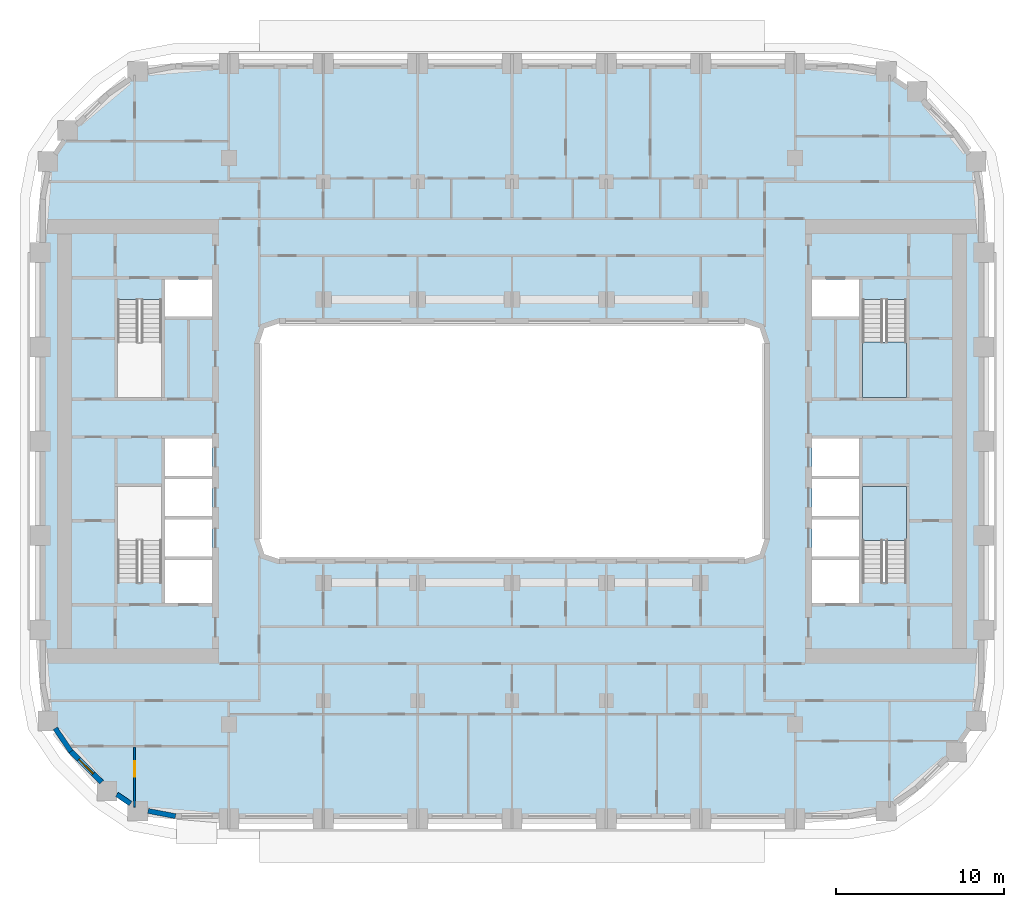
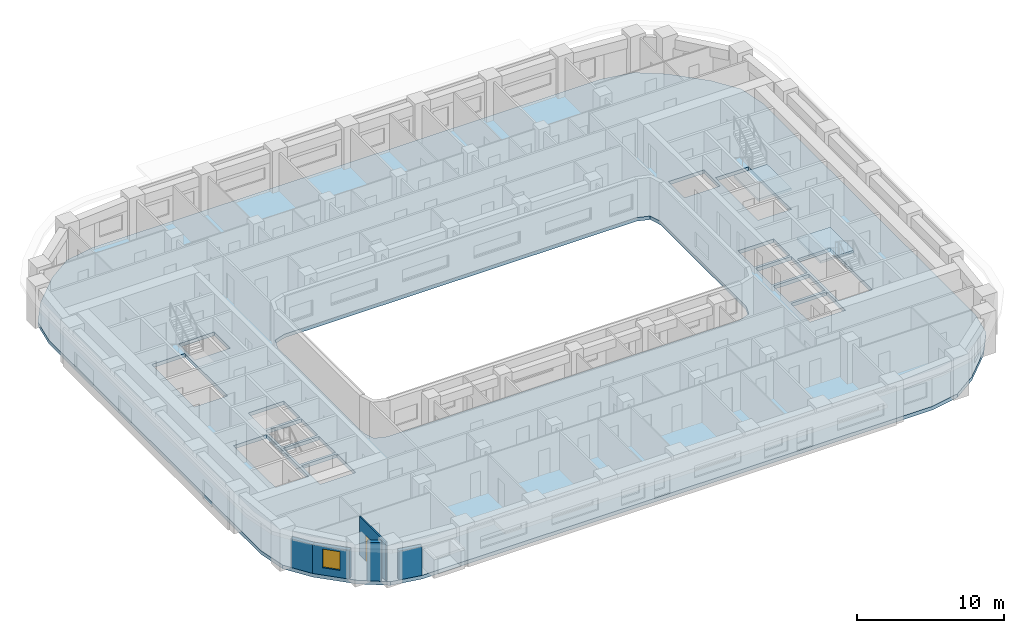
# One storey, part 2 of 23: 5 walls, 3 slabs, 1 door, 1 window, 2 openings, 2 elements without a shape of their own.
"""IFC4 building model written with IfcOpenShell, lengths in metres."""

from ifc_helpers import new_model, si_unit, direction, frame, frame_2d, origin, place, context, subcontext, project, spatial, polyline, rectangle, outline, extrude, material, layer, layer_set, type_object, element, fill, aggregate, save


model = new_model("IFC4")

# Units and contexts
model_context = context("Model", 3, precision=1e-05, world=origin(), true_north=direction((0.0, 1.0)))
body_context = subcontext(model_context, "Body", "Model", "MODEL_VIEW")
ifc_project = project(units=[si_unit("LENGTHUNIT", "METRE"), si_unit("AREAUNIT", "SQUARE_METRE"), si_unit("VOLUMEUNIT", "CUBIC_METRE"), si_unit("PLANEANGLEUNIT", "RADIAN"), si_unit("MASSUNIT", "GRAM", prefix="KILO")], contexts=[model_context])

# Site, building, storey
site_placement = place(None, origin())
site = spatial("IfcSite", under=ifc_project, at=site_placement, CompositionType="ELEMENT")
building_placement = place(site_placement, origin())
building = spatial("IfcBuilding", under=site, at=building_placement, Name="Kiln Ring Residences", CompositionType="ELEMENT")
storey_placement = place(building_placement, frame((0.0, 0.0, 118.300048828125)))
storey = spatial("IfcBuildingStorey", under=building, at=storey_placement, Name="L30", CompositionType="ELEMENT", Elevation=118.300048828125)

# Stair, slab
ifc_material_1 = material(Name="Concrete C40/50", Category="concrete")
stair_type = type_object("IfcStairType", Name="CORE-STAIR", PredefinedType="HALF_TURN_STAIR", material=ifc_material_1)
placement_1 = place(storey_placement, origin())
stair_1 = element("IfcStair", 1, at=placement_1, inside=storey, type_object=stair_type, Name="L30 stair E-STN", PredefinedType="HALF_TURN_STAIR")
ifc_material_2 = material(Name="Concrete C40/50", Category="concrete")
ifc_layer_1 = layer(ifc_material_2, 0.199951171875)
ifc_layer_set_1 = layer_set([ifc_layer_1], Name="CORE-STAIR-LANDING")
slab_type_1 = type_object("IfcSlabType", Name="CORE-STAIR-LANDING", PredefinedType="LANDING", material=ifc_layer_set_1)
placement_2 = place(storey_placement, frame((0.0, 0.0, 1.550048828125)))
slab_1 = element("IfcSlab", 2, at=placement_2, type_object=slab_type_1, Name="E-STN landing 1", PredefinedType="LANDING", context=body_context, shape_type="SweptSolid", body=[
    extrude(outline(polyline([(20.800048828125, 5.8798828125), (20.800048828125, 2.60009765625), (23.39990234375, 2.60009765625), (23.39990234375, 5.8798828125), (20.800048828125, 5.8798828125)])), origin(), (0.0, 0.0, 1.0), 0.199951171875),
])
aggregate(stair_1, [slab_1])

stair_2 = element("IfcStair", 3, at=placement_1, inside=storey, type_object=stair_type, Name="L30 stair E-STS", PredefinedType="HALF_TURN_STAIR")
slab_2 = element("IfcSlab", 4, at=placement_2, type_object=slab_type_1, Name="E-STS landing 1", PredefinedType="LANDING", context=body_context, shape_type="SweptSolid", body=[
    extrude(outline(polyline([(23.39990234375, -5.8798828125), (23.39990234375, -2.699951171875), (20.800048828125, -2.699951171875), (20.800048828125, -5.8798828125), (23.39990234375, -5.8798828125)])), origin(), (0.0, 0.0, 1.0), 0.199951171875),
])
aggregate(stair_2, [slab_2])

# Slab
ifc_material_3 = material(Name="Concrete C40/50", Category="concrete")
ifc_layer_2 = layer(ifc_material_3, 0.300048828125)
ifc_layer_set_2 = layer_set([ifc_layer_2], Name="Floor slab 300")
slab_type_2 = type_object("IfcSlabType", Name="Floor slab 300", PredefinedType="FLOOR", material=ifc_layer_set_2)
slab_3_placement = place(storey_placement, frame((0.0, 0.0, -0.300048828125)))
element("IfcSlab", 5, at=slab_3_placement, inside=storey, type_object=slab_type_2, Name="Floor slab L30 1", PredefinedType="FLOOR", context=body_context, shape_type="SweptSolid", body=[
    extrude(outline(polyline([(-26.302978515625, -18.4970703125), (-24.09716796875, -20.702880859375), (-22.224365234375, -21.975830078125), (-20.0, -22.39990234375), (20.0, -22.39990234375), (22.224365234375, -21.975830078125), (24.09716796875, -20.702880859375), (26.302978515625, -18.4970703125), (27.57568359375, -16.624267578125), (28.0, -14.39990234375), (28.0, 14.39990234375), (27.57568359375, 16.624267578125), (26.302978515625, 18.4970703125), (24.09716796875, 20.702880859375), (22.224365234375, 21.975830078125), (20.0, 22.39990234375), (-20.0, 22.39990234375), (-22.224365234375, 21.975830078125), (-24.09716796875, 20.702880859375), (-26.302978515625, 18.4970703125), (-27.57568359375, 16.624267578125), (-28.0, 14.39990234375), (-28.0, -14.39990234375), (-27.57568359375, -16.624267578125), (-26.302978515625, -18.4970703125)]), holes=[polyline([(-14.699951171875, -6.699951171875), (-15.0, -5.800048828125), (-15.0, 5.800048828125), (-14.699951171875, 6.699951171875), (-13.800048828125, 7.0), (13.800048828125, 7.0), (14.699951171875, 6.699951171875), (15.0, 5.800048828125), (15.0, -5.800048828125), (14.699951171875, -6.699951171875), (13.800048828125, -7.0), (-13.800048828125, -7.0), (-14.699951171875, -6.699951171875)]), polyline([(20.800048828125, -8.39794921875), (20.800048828125, -2.699951171875), (23.39990234375, -2.699951171875), (23.39990234375, -8.39794921875), (20.800048828125, -8.39794921875)]), polyline([(20.800048828125, 2.60009765625), (20.800048828125, 8.39794921875), (23.39990234375, 8.39794921875), (23.39990234375, 2.60009765625), (20.800048828125, 2.60009765625)]), polyline([(17.800048828125, -6.85009765625), (17.800048828125, -4.64990234375), (20.60009765625, -4.64990234375), (20.60009765625, -6.85009765625), (17.800048828125, -6.85009765625)]), polyline([(17.800048828125, -4.449951171875), (17.800048828125, -2.25), (20.60009765625, -2.25), (20.60009765625, -4.449951171875), (17.800048828125, -4.449951171875)]), polyline([(17.800048828125, -2.050048828125), (17.800048828125, 0.14990234375), (20.60009765625, 0.14990234375), (20.60009765625, -2.050048828125), (17.800048828125, -2.050048828125)]), polyline([(17.800048828125, 7.39990234375), (17.800048828125, 9.60009765625), (20.60009765625, 9.60009765625), (20.60009765625, 7.39990234375), (17.800048828125, 7.39990234375)]), polyline([(20.60009765625, -9.60009765625), (17.800048828125, -9.60009765625), (17.800048828125, -7.050048828125), (20.60009765625, -7.050048828125), (20.60009765625, -9.60009765625)]), polyline([(-17.800048828125, -7.050048828125), (-17.800048828125, -9.60009765625), (-20.60009765625, -9.60009765625), (-20.60009765625, -7.050048828125), (-17.800048828125, -7.050048828125)]), polyline([(-17.800048828125, -6.85009765625), (-20.60009765625, -6.85009765625), (-20.60009765625, -4.64990234375), (-17.800048828125, -4.64990234375), (-17.800048828125, -6.85009765625)]), polyline([(-17.800048828125, -4.449951171875), (-20.60009765625, -4.449951171875), (-20.60009765625, -2.25), (-17.800048828125, -2.25), (-17.800048828125, -4.449951171875)]), polyline([(-17.800048828125, -2.050048828125), (-20.60009765625, -2.050048828125), (-20.60009765625, 0.14990234375), (-17.800048828125, 0.14990234375), (-17.800048828125, -2.050048828125)]), polyline([(-17.800048828125, 7.39990234375), (-20.60009765625, 7.39990234375), (-20.60009765625, 9.60009765625), (-17.800048828125, 9.60009765625), (-17.800048828125, 7.39990234375)]), polyline([(-20.800048828125, -8.39794921875), (-23.39990234375, -8.39794921875), (-23.39990234375, -2.699951171875), (-20.800048828125, -2.699951171875), (-20.800048828125, -8.39794921875)]), polyline([(-20.800048828125, 2.60009765625), (-23.39990234375, 2.60009765625), (-23.39990234375, 8.39794921875), (-20.800048828125, 8.39794921875), (-20.800048828125, 2.60009765625)])]), origin(), (0.0, 0.0, 1.0), 0.300048828125),
])

# Wall, opening, window
ifc_material_4 = material(Name="Brick masonry, dark clay brick", Category="masonry")
ifc_layer_3 = layer(ifc_material_4, 0.300048828125)
ifc_layer_set_3 = layer_set([ifc_layer_3], Name="EW-300 BRICK WALL")
wall_type_1 = type_object("IfcWallType", Name="EW-300 BRICK WALL", PredefinedType="SOLIDWALL", material=ifc_layer_set_3)
wall_1_placement = place(storey_placement, frame((-26.19677734375, -18.390869140625, 0.0), z_axis=(0.0, 0.0, 1.0), x_axis=(0.707059830104, -0.707153729152, 0.0)))
wall_1 = element("IfcWall", 6, at=wall_1_placement, inside=storey, type_object=wall_type_1, Name="Facade wall L30 1", PredefinedType="SOLIDWALL", context=body_context, shape_type="SweptSolid", body=[
    extrude(rectangle(XDim=2.60009765625, YDim=0.300048828125, at=frame_2d((1.300048828125, 0.0))), origin(), (0.0, 0.0, 1.0), 2.39990234375),
])
opening_1_placement = place(wall_1_placement, frame((0.699951171875, 0.0, 0.60009765625)))
opening_1 = element("IfcOpeningElement", 7, at=opening_1_placement, cuts=wall_1, Name="Opening W1", PredefinedType="OPENING", context=body_context, shape_type="SweptSolid", body=[
    extrude(rectangle(XDim=1.199951171875, YDim=1.550048828125, at=frame_2d((0.60009765625, 0.77490234375))), frame((0.0, 0.159912109375, 0.0), z_axis=(0.0, -1.0, 0.0), x_axis=(1.0, 0.0, 0.0)), (0.0, 0.0, 1.0), 0.320068359375),
])
ifc_material_5 = material(Name="Aluminium frame with double glazing", Category="aluminium")
window_type = type_object("IfcWindowType", Name="WINDOW 1200 x 1550", PartitioningType="SINGLE_PANEL", PredefinedType="WINDOW", material=ifc_material_5)
window_placement = place(opening_1_placement, origin())
window = element("IfcWindow", 8, at=window_placement, inside=storey, type_object=window_type, Name="Window L30 1", OverallHeight=1.550048828125, OverallWidth=1.199951171875, PartitioningType="SINGLE_PANEL", PredefinedType="WINDOW", context=body_context, shape_type="SweptSolid", body=[
    extrude(rectangle(XDim=1.199951171875, YDim=1.550048828125, at=frame_2d((0.60009765625, 0.77490234375))), frame((0.0, 0.030029296875, 0.0), z_axis=(0.0, -1.0, 0.0), x_axis=(1.0, 0.0, 0.0)), (0.0, 0.0, 1.0), 0.06005859375),
])
fill(opening_1, window)

# Walls
wall_2_placement = place(storey_placement, frame((-23.451171875, -20.96044921875, 0.0), z_axis=(0.0, 0.0, 1.0), x_axis=(0.827019434577, -0.562173331661, 0.0)))
element("IfcWall", 9, at=wall_2_placement, inside=storey, type_object=wall_type_1, Name="Facade wall L30 2", PredefinedType="SOLIDWALL", context=body_context, shape_type="SweptSolid", body=[
    extrude(rectangle(XDim=0.97705078125, YDim=0.300048828125, at=frame_2d((0.488525390625, 0.0))), origin(), (0.0, 0.0, 1.0), 3.199951171875),
])
wall_3_placement = place(storey_placement, frame((-21.5986328125, -21.9423828125, 0.0), z_axis=(0.0, 0.0, 1.0), x_axis=(0.98228820662, -0.187376303559, 0.0)))
element("IfcWall", 10, at=wall_3_placement, inside=storey, type_object=wall_type_1, Name="Facade wall L30 3", PredefinedType="SOLIDWALL", context=body_context, shape_type="SweptSolid", body=[
    extrude(rectangle(XDim=1.656005859375, YDim=0.300048828125, at=frame_2d((0.828125, 0.0))), origin(), (0.0, 0.0, 1.0), 2.39990234375),
])
wall_4_placement = place(storey_placement, frame((-27.10986328125, -17.04296875, 0.0), z_axis=(0.0, 0.0, 1.0), x_axis=(0.562060017944, -0.82709644917, 0.0)))
element("IfcWall", 11, at=wall_4_placement, inside=storey, type_object=wall_type_1, Name="Facade wall L30 48", PredefinedType="SOLIDWALL", context=body_context, shape_type="SweptSolid", body=[
    extrude(rectangle(XDim=1.65625, YDim=0.300048828125, at=frame_2d((0.828125, 0.0))), origin(), (0.0, 0.0, 1.0), 2.39990234375),
])

# Wall, opening, door
ifc_material_6 = material(Name="Gypsum board on steel studs", Category="steel")
ifc_layer_4 = layer(ifc_material_6, 0.10009765625)
ifc_layer_set_4 = layer_set([ifc_layer_4], Name="PARTITION-100")
wall_type_2 = type_object("IfcWallType", Name="PARTITION-100", PredefinedType="PARTITIONING", material=ifc_layer_set_4)
wall_5_placement = place(storey_placement, frame((-22.39990234375, -21.719970703125, 0.0), z_axis=(0.0, 0.0, 1.0), x_axis=(0.0, 1.0, 0.0)))
wall_5 = element("IfcWall", 12, at=wall_5_placement, inside=storey, type_object=wall_type_2, Name="Partition 014", PredefinedType="PARTITIONING", context=body_context, shape_type="SweptSolid", body=[
    extrude(rectangle(XDim=3.570068359375, YDim=0.10009765625, at=frame_2d((1.78515625, 0.0))), origin(), (0.0, 0.0, 1.0), 3.199951171875),
])
opening_2_placement = place(wall_5_placement, frame((1.820068359375, 0.0, 0.0)))
opening_2 = element("IfcOpeningElement", 13, at=opening_2_placement, cuts=wall_5, Name="Opening L30-D076", PredefinedType="OPENING", context=body_context, shape_type="SweptSolid", body=[
    extrude(rectangle(XDim=0.89990234375, YDim=2.10009765625, at=frame_2d((0.449951171875, 1.050048828125))), frame((0.0, 0.06005859375, 0.0), z_axis=(0.0, -1.0, 0.0), x_axis=(1.0, 0.0, 0.0)), (0.0, 0.0, 1.0), 0.1201171875),
])
ifc_material_7 = material(Name="Timber door leaf", Category="wood")
door_type = type_object("IfcDoorType", Name="FLAT-DOOR-900-PL", OperationType="SINGLE_SWING_LEFT", PredefinedType="DOOR", material=ifc_material_7)
door_placement = place(opening_2_placement, origin())
door = element("IfcDoor", 14, at=door_placement, inside=storey, type_object=door_type, Name="Door L30-D076", OperationType="SINGLE_SWING_LEFT", OverallHeight=2.10009765625, OverallWidth=0.89990234375, PredefinedType="DOOR", context=body_context, shape_type="SweptSolid", body=[
    extrude(rectangle(XDim=0.89990234375, YDim=2.10009765625, at=frame_2d((0.449951171875, 1.050048828125))), frame((0.0, 0.02490234375, 0.0), z_axis=(0.0, -1.0, 0.0), x_axis=(1.0, 0.0, 0.0)), (0.0, 0.0, 1.0), 0.050048828125),
])
fill(opening_2, door)

save(model, "model.ifc")
